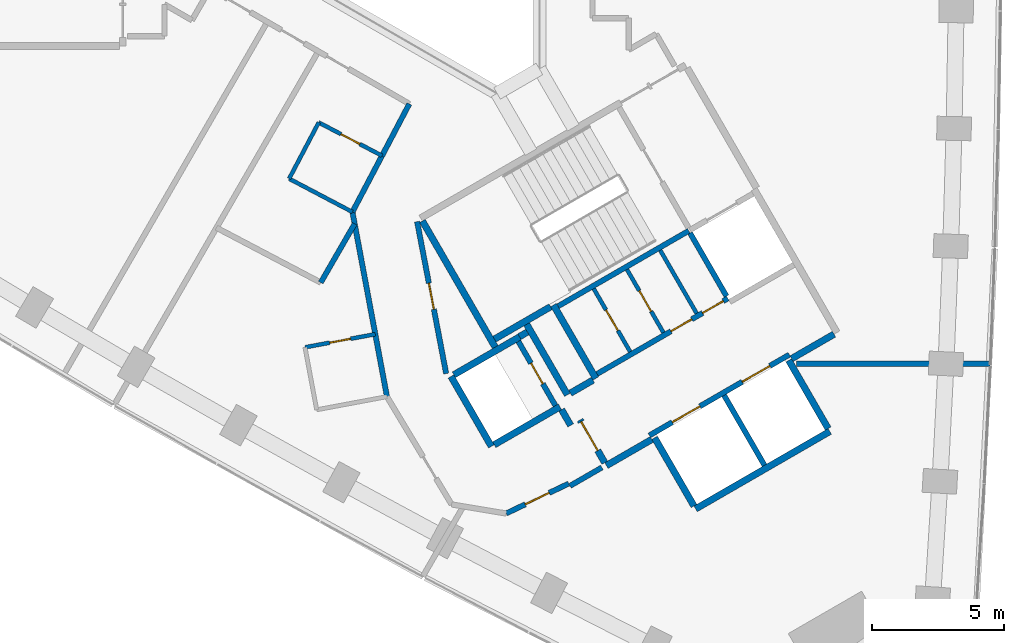
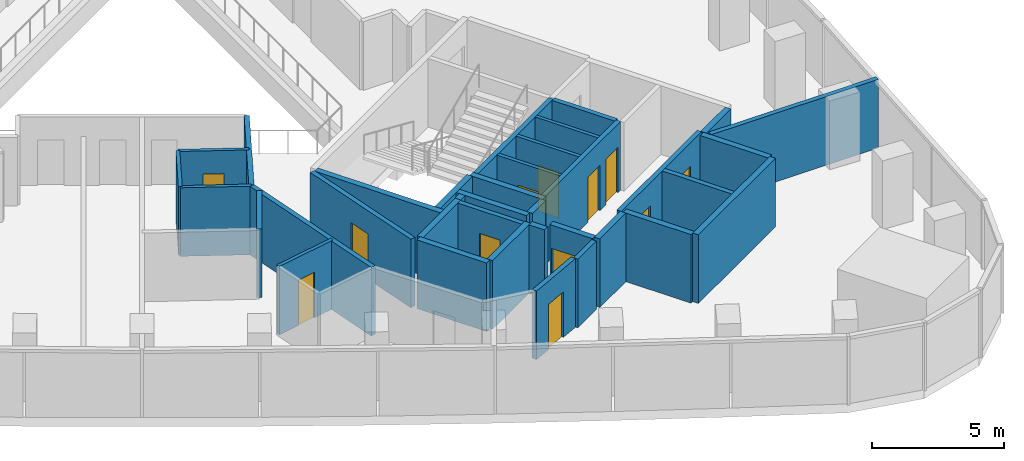
# One storey, part 8 of 12: 37 walls, 12 doors, 12 openings.
"""IFC4 building model written with IfcOpenShell, lengths in metres."""

from ifc_helpers import new_model, si_unit, direction, frame, frame_2d, origin, place, context, subcontext, project, spatial, rectangle, extrude, material, layer, layer_set, type_object, element, fill, save


model = new_model("IFC4")

# Units and contexts
model_context = context("Model", 3, precision=1e-05, world=origin(), true_north=direction((0.0, 1.0)))
body_context = subcontext(model_context, "Body", "Model", "MODEL_VIEW")
ifc_project = project(units=[si_unit("LENGTHUNIT", "METRE"), si_unit("AREAUNIT", "SQUARE_METRE"), si_unit("VOLUMEUNIT", "CUBIC_METRE"), si_unit("PLANEANGLEUNIT", "RADIAN"), si_unit("MASSUNIT", "GRAM", prefix="KILO")], contexts=[model_context])

# Site, building, storey
site_placement = place(None, origin())
site = spatial("IfcSite", under=ifc_project, at=site_placement, CompositionType="ELEMENT")
building_placement = place(site_placement, origin())
building = spatial("IfcBuilding", under=site, at=building_placement, Name="Tamra Quay Hotel Tower", CompositionType="ELEMENT")
storey_placement = place(building_placement, frame((0.0, 0.0, 83.0)))
storey = spatial("IfcBuildingStorey", under=building, at=storey_placement, Name="L19", CompositionType="ELEMENT", Elevation=83.0)

# Wall, openings, doors
ifc_material_1 = material(Name="Concrete M70", Category="concrete")
ifc_layer_1 = layer(ifc_material_1, 0.199951171875)
ifc_layer_set_1 = layer_set([ifc_layer_1], Name="Concrete M70 core wall 200")
wall_type_1 = type_object("IfcWallType", Name="Concrete M70 core wall 200", PredefinedType="SHEAR", material=ifc_layer_set_1)
wall_1_placement = place(storey_placement, frame((9.052490234375, -20.479736328125, 0.0), z_axis=(0.0, 0.0, 1.0), x_axis=(0.866030299012, 0.499991521122, 0.0)))
wall_1 = element("IfcWall", 1, at=wall_1_placement, inside=storey, type_object=wall_type_1, Name="CW2", PredefinedType="SHEAR", context=body_context, shape_type="SweptSolid", body=[
    extrude(rectangle(XDim=6.10009765625, YDim=0.199951171875, at=frame_2d((3.050048828125, 0.0))), origin(), (0.0, 0.0, 1.0), 3.175048828125),
])
opening_1_placement = place(wall_1_placement, frame((1.0, 0.0, 0.0)))
opening_1 = element("IfcOpeningElement", 2, at=opening_1_placement, cuts=wall_1, Name="Opening LD", PredefinedType="OPENING", context=body_context, shape_type="SweptSolid", body=[
    extrude(rectangle(XDim=1.199951171875, YDim=2.10009765625, at=frame_2d((0.60009765625, 1.050048828125))), frame((0.0, 0.10986328125, 0.0), z_axis=(0.0, -1.0, 0.0), x_axis=(1.0, 0.0, 0.0)), (0.0, 0.0, 1.0), 0.219970703125),
])
opening_2_placement = place(wall_1_placement, frame((4.05029296875, 0.0, 0.0)))
opening_2 = element("IfcOpeningElement", 3, at=opening_2_placement, cuts=wall_1, Name="Opening LD", PredefinedType="OPENING", context=body_context, shape_type="SweptSolid", body=[
    extrude(rectangle(XDim=1.199951171875, YDim=2.10009765625, at=frame_2d((0.60009765625, 1.050048828125))), frame((0.0, 0.10986328125, 0.0), z_axis=(0.0, -1.0, 0.0), x_axis=(1.0, 0.0, 0.0)), (0.0, 0.0, 1.0), 0.219970703125),
])
ifc_material_2 = material(Name="Landing door LD 1200 double door sliding")
door_type_1 = type_object("IfcDoorType", Name="Landing door LD 1200 double door sliding", OperationType="DOUBLE_DOOR_SLIDING", PredefinedType="DOOR", material=ifc_material_2)
door_1_placement = place(opening_1_placement, origin())
door_1 = element("IfcDoor", 4, at=door_1_placement, inside=storey, type_object=door_type_1, Name="LD", OperationType="DOUBLE_DOOR_SLIDING", OverallHeight=2.10009765625, OverallWidth=1.199951171875, PredefinedType="DOOR", context=body_context, shape_type="SweptSolid", body=[
    extrude(rectangle(XDim=1.199951171875, YDim=2.10009765625, at=frame_2d((0.60009765625, 1.050048828125))), frame((0.0, 0.02490234375, 0.0), z_axis=(0.0, -1.0, 0.0), x_axis=(1.0, 0.0, 0.0)), (0.0, 0.0, 1.0), 0.050048828125),
])
fill(opening_1, door_1)
door_2_placement = place(opening_2_placement, origin())
door_2 = element("IfcDoor", 5, at=door_2_placement, inside=storey, type_object=door_type_1, Name="LD", OperationType="DOUBLE_DOOR_SLIDING", OverallHeight=2.10009765625, OverallWidth=1.199951171875, PredefinedType="DOOR", context=body_context, shape_type="SweptSolid", body=[
    extrude(rectangle(XDim=1.199951171875, YDim=2.10009765625, at=frame_2d((0.60009765625, 1.050048828125))), frame((0.0, 0.02490234375, 0.0), z_axis=(0.0, -1.0, 0.0), x_axis=(1.0, 0.0, 0.0)), (0.0, 0.0, 1.0), 0.050048828125),
])
fill(opening_2, door_2)

# Wall
wall_2_placement = place(storey_placement, frame((10.537841796875, -12.751953125, 0.0), z_axis=(0.0, 0.0, 1.0), x_axis=(-0.866038630372, -0.499977090179, 0.0)))
element("IfcWall", 6, at=wall_2_placement, inside=storey, type_object=wall_type_1, Name="CW2", PredefinedType="SHEAR", context=body_context, shape_type="SweptSolid", body=[
    extrude(rectangle(XDim=5.698974609375, YDim=0.199951171875, at=frame_2d((2.849609375, 0.0))), origin(), (0.0, 0.0, 1.0), 3.175048828125),
])

# Wall, openings, doors
wall_3_placement = place(storey_placement, frame((7.0771484375, -18.156005859375, 0.0), z_axis=(0.0, 0.0, 1.0), x_axis=(0.866038630372, 0.499977090179, 0.0)))
wall_3 = element("IfcWall", 7, at=wall_3_placement, inside=storey, type_object=wall_type_1, Name="CW2", PredefinedType="SHEAR", context=body_context, shape_type="SweptSolid", body=[
    extrude(rectangle(XDim=5.698974609375, YDim=0.199951171875, at=frame_2d((2.849609375, 0.0))), origin(), (0.0, 0.0, 1.0), 3.175048828125),
])
opening_3_placement = place(wall_3_placement, frame((3.22412109375, 0.0, 0.0)))
opening_3 = element("IfcOpeningElement", 8, at=opening_3_placement, cuts=wall_3, Name="Opening D2", PredefinedType="OPENING", context=body_context, shape_type="SweptSolid", body=[
    extrude(rectangle(XDim=0.89990234375, YDim=2.10009765625, at=frame_2d((0.449951171875, 1.050048828125))), frame((0.0, 0.10986328125, 0.0), z_axis=(0.0, -1.0, 0.0), x_axis=(1.0, 0.0, 0.0)), (0.0, 0.0, 1.0), 0.219970703125),
])
opening_4_placement = place(wall_3_placement, frame((4.59912109375, 0.0, 0.0)))
opening_4 = element("IfcOpeningElement", 9, at=opening_4_placement, cuts=wall_3, Name="Opening D2", PredefinedType="OPENING", context=body_context, shape_type="SweptSolid", body=[
    extrude(rectangle(XDim=0.89990234375, YDim=2.10009765625, at=frame_2d((0.449951171875, 1.050048828125))), frame((0.0, 0.10986328125, 0.0), z_axis=(0.0, -1.0, 0.0), x_axis=(1.0, 0.0, 0.0)), (0.0, 0.0, 1.0), 0.219970703125),
])
ifc_material_3 = material(Name="Core door D2 900x2100 LH")
door_type_2 = type_object("IfcDoorType", Name="Core door D2 900x2100 LH", OperationType="NOTDEFINED", PredefinedType="DOOR", material=ifc_material_3)
door_3_placement = place(opening_3_placement, origin())
door_3 = element("IfcDoor", 10, at=door_3_placement, inside=storey, type_object=door_type_2, Name="D2", OperationType="SINGLE_SWING_LEFT", OverallHeight=2.10009765625, OverallWidth=0.89990234375, PredefinedType="DOOR", context=body_context, shape_type="SweptSolid", body=[
    extrude(rectangle(XDim=0.89990234375, YDim=2.10009765625, at=frame_2d((0.449951171875, 1.050048828125))), frame((0.0, 0.02490234375, 0.0), z_axis=(0.0, -1.0, 0.0), x_axis=(1.0, 0.0, 0.0)), (0.0, 0.0, 1.0), 0.050048828125),
])
fill(opening_3, door_3)
ifc_material_4 = material(Name="Core door D2 900x2100 RH")
door_type_3 = type_object("IfcDoorType", Name="Core door D2 900x2100 RH", OperationType="NOTDEFINED", PredefinedType="DOOR", material=ifc_material_4)
door_4_placement = place(opening_4_placement, origin())
door_4 = element("IfcDoor", 11, at=door_4_placement, inside=storey, type_object=door_type_3, Name="D2", OperationType="SINGLE_SWING_RIGHT", OverallHeight=2.10009765625, OverallWidth=0.89990234375, PredefinedType="DOOR", context=body_context, shape_type="SweptSolid", body=[
    extrude(rectangle(XDim=0.89990234375, YDim=2.10009765625, at=frame_2d((0.449951171875, 1.050048828125))), frame((0.0, 0.02490234375, 0.0), z_axis=(0.0, -1.0, 0.0), x_axis=(1.0, 0.0, 0.0)), (0.0, 0.0, 1.0), 0.050048828125),
])
fill(opening_4, door_4)

# Wall
wall_4_placement = place(storey_placement, frame((11.87451171875, -18.967041015625, 0.0), z_axis=(0.0, 0.0, 1.0), x_axis=(0.49998131003, -0.866036194175, 0.0)))
element("IfcWall", 12, at=wall_4_placement, inside=storey, type_object=wall_type_1, Name="CW2", PredefinedType="SHEAR", context=body_context, shape_type="SweptSolid", body=[
    extrude(rectangle(XDim=3.0478515625, YDim=0.199951171875, at=frame_2d((1.52392578125, 0.0))), origin(), (0.0, 0.0, 1.0), 3.175048828125),
])

# Wall, opening, door
wall_5_placement = place(storey_placement, frame((5.50341796875, -19.352294921875, 0.0), z_axis=(0.0, 0.0, 1.0), x_axis=(-0.499986818241, 0.866033014143, 0.0)))
wall_5 = element("IfcWall", 13, at=wall_5_placement, inside=storey, type_object=wall_type_1, Name="CW2", PredefinedType="SHEAR", context=body_context, shape_type="SweptSolid", body=[
    extrude(rectangle(XDim=2.7978515625, YDim=0.199951171875, at=frame_2d((1.39892578125, 0.0))), origin(), (0.0, 0.0, 1.0), 3.175048828125),
])
opening_5_placement = place(wall_5_placement, frame((0.948974609375, 0.0, 0.0)))
opening_5 = element("IfcOpeningElement", 14, at=opening_5_placement, cuts=wall_5, Name="Opening D1", PredefinedType="OPENING", context=body_context, shape_type="SweptSolid", body=[
    extrude(rectangle(XDim=0.89990234375, YDim=2.10009765625, at=frame_2d((0.449951171875, 1.050048828125))), frame((0.0, 0.10986328125, 0.0), z_axis=(0.0, -1.0, 0.0), x_axis=(1.0, 0.0, 0.0)), (0.0, 0.0, 1.0), 0.219970703125),
])
ifc_material_5 = material(Name="Core door D1 900x2100 LH")
door_type_4 = type_object("IfcDoorType", Name="Core door D1 900x2100 LH", OperationType="NOTDEFINED", PredefinedType="DOOR", material=ifc_material_5)
door_5_placement = place(opening_5_placement, origin())
door_5 = element("IfcDoor", 15, at=door_5_placement, inside=storey, type_object=door_type_4, Name="D1", OperationType="SINGLE_SWING_LEFT", OverallHeight=2.10009765625, OverallWidth=0.89990234375, PredefinedType="DOOR", context=body_context, shape_type="SweptSolid", body=[
    extrude(rectangle(XDim=0.89990234375, YDim=2.10009765625, at=frame_2d((0.449951171875, 1.050048828125))), frame((0.0, 0.02490234375, 0.0), z_axis=(0.0, -1.0, 0.0), x_axis=(1.0, 0.0, 0.0)), (0.0, 0.0, 1.0), 0.050048828125),
])
fill(opening_5, door_5)

# Walls
wall_6_placement = place(storey_placement, frame((11.962646484375, -15.219970703125, 0.0), z_axis=(0.0, 0.0, 1.0), x_axis=(-0.500034990121, 0.866005201286, 0.0)))
element("IfcWall", 16, at=wall_6_placement, inside=storey, type_object=wall_type_1, Name="CW2", PredefinedType="SHEAR", context=body_context, shape_type="SweptSolid", body=[
    extrude(rectangle(XDim=2.749755859375, YDim=0.199951171875, at=frame_2d((1.375, 0.0))), origin(), (0.0, 0.0, 1.0), 3.175048828125),
])
ifc_layer_2 = layer(ifc_material_1, 0.25)
ifc_layer_set_2 = layer_set([ifc_layer_2], Name="Concrete M70 core wall 250")
wall_type_2 = type_object("IfcWallType", Name="Concrete M70 core wall 250", PredefinedType="SHEAR", material=ifc_layer_set_2)
wall_7_placement = place(storey_placement, frame((15.86474609375, -20.328369140625, 0.0), z_axis=(0.0, 0.0, 1.0), x_axis=(-0.86602852612, -0.499994591916, 0.0)))
element("IfcWall", 17, at=wall_7_placement, inside=storey, type_object=wall_type_2, Name="CW1", PredefinedType="SHEAR", context=body_context, shape_type="SweptSolid", body=[
    extrude(rectangle(XDim=5.85009765625, YDim=0.25, at=frame_2d((2.925048828125, 0.0))), origin(), (0.0, 0.0, 1.0), 3.175048828125),
])
wall_8_placement = place(storey_placement, frame((3.23486328125, -17.15283203125, 0.0), z_axis=(0.0, 0.0, 1.0), x_axis=(-0.500008851346, 0.866020293397, 0.0)))
element("IfcWall", 18, at=wall_8_placement, inside=storey, type_object=wall_type_2, Name="CW1", PredefinedType="SHEAR", context=body_context, shape_type="SweptSolid", body=[
    extrude(rectangle(XDim=5.509765625, YDim=0.25, at=frame_2d((2.7548828125, 0.0))), origin(), (0.0, 0.0, 1.0), 3.175048828125),
])
wall_9_placement = place(storey_placement, frame((7.030517578125, -18.327392578125, 0.0), z_axis=(0.0, 0.0, 1.0), x_axis=(-0.499971222258, 0.866042017984, 0.0)))
element("IfcWall", 19, at=wall_9_placement, inside=storey, type_object=wall_type_2, Name="CW1", PredefinedType="SHEAR", context=body_context, shape_type="SweptSolid", body=[
    extrude(rectangle(XDim=3.199951171875, YDim=0.25, at=frame_2d((1.60009765625, 0.0))), origin(), (0.0, 0.0, 1.0), 3.175048828125),
])
for number, where, z_axis, x_axis, name in (
    (20, (14.314697265625, -17.643798828125, 0.0), (0.0, 0.0, 1.0), (0.500023226632, -0.866011993467, 0.0), "CW1"),
    (21, (10.73583984375, -23.144775390625, 0.0), (0.0, 0.0, 1.0), (-0.500023226632, 0.866011993467, 0.0), "CW1"),
):
    element("IfcWall", number, at=place(storey_placement, frame(where, z_axis=z_axis, x_axis=x_axis)), inside=storey, type_object=wall_type_2, Name=name, PredefinedType="SHEAR", context=body_context, shape_type="SweptSolid", body=[
        extrude(rectangle(XDim=2.974365234375, YDim=0.25, at=frame_2d((1.4873046875, 0.0))), origin(), (0.0, 0.0, 1.0), 3.175048828125),
    ])
wall_10_placement = place(storey_placement, frame((3.085205078125, -20.893798828125, 0.0), z_axis=(0.0, 0.0, 1.0), x_axis=(-0.499978833458, 0.866037623948, 0.0)))
element("IfcWall", 22, at=wall_10_placement, inside=storey, type_object=wall_type_2, Name="CW1", PredefinedType="SHEAR", context=body_context, shape_type="SweptSolid", body=[
    extrude(rectangle(XDim=3.050048828125, YDim=0.25, at=frame_2d((1.52490234375, 0.0))), origin(), (0.0, 0.0, 1.0), 3.175048828125),
])
wall_11_placement = place(storey_placement, frame((1.6689453125, -18.189697265625, 0.0), z_axis=(0.0, 0.0, 1.0), x_axis=(0.866042235819, 0.499970844928, 0.0)))
element("IfcWall", 23, at=wall_11_placement, inside=storey, type_object=wall_type_2, Name="CW1", PredefinedType="SHEAR", context=body_context, shape_type="SweptSolid", body=[
    extrude(rectangle(XDim=2.864501953125, YDim=0.25, at=frame_2d((1.43212890625, 0.0))), origin(), (0.0, 0.0, 1.0), 3.175048828125),
])
wall_12_placement = place(storey_placement, frame((5.6748046875, -19.39892578125, 0.0), z_axis=(0.0, 0.0, 1.0), x_axis=(-0.866026637627, -0.499997862916, 0.0)))
element("IfcWall", 24, at=wall_12_placement, inside=storey, type_object=wall_type_2, Name="CW1", PredefinedType="SHEAR", context=body_context, shape_type="SweptSolid", body=[
    extrude(rectangle(XDim=2.86474609375, YDim=0.25, at=frame_2d((1.432373046875, 0.0))), origin(), (0.0, 0.0, 1.0), 3.175048828125),
])
wall_13_placement = place(storey_placement, frame((4.414306640625, -16.275634765625, 0.0), z_axis=(0.0, 0.0, 1.0), x_axis=(0.500003324108, -0.866023484601, 0.0)))
element("IfcWall", 25, at=wall_13_placement, inside=storey, type_object=wall_type_2, Name="CW1", PredefinedType="SHEAR", context=body_context, shape_type="SweptSolid", body=[
    extrude(rectangle(XDim=3.0849609375, YDim=0.25, at=frame_2d((1.54248046875, 0.0))), origin(), (0.0, 0.0, 1.0), 3.175048828125),
])
wall_14_placement = place(storey_placement, frame((5.322021484375, -15.618896484375, 0.0), z_axis=(0.0, 0.0, 1.0), x_axis=(-0.866026229868, -0.499998569178, 0.0)))
element("IfcWall", 26, at=wall_14_placement, inside=storey, type_object=wall_type_2, Name="CW1", PredefinedType="SHEAR", context=body_context, shape_type="SweptSolid", body=[
    extrude(rectangle(XDim=2.44921875, YDim=0.25, at=frame_2d((1.224609375, 0.0))), origin(), (0.0, 0.0, 1.0), 3.175048828125),
])
wall_15_placement = place(storey_placement, frame((9.139892578125, -20.63134765625, 0.0), z_axis=(0.0, 0.0, 1.0), x_axis=(-0.866043531843, -0.499968599967, 0.0)))
element("IfcWall", 27, at=wall_15_placement, inside=storey, type_object=wall_type_2, Name="CW1", PredefinedType="SHEAR", context=body_context, shape_type="SweptSolid", body=[
    extrude(rectangle(XDim=1.974853515625, YDim=0.25, at=frame_2d((0.9873046875, 0.0))), origin(), (0.0, 0.0, 1.0), 3.175048828125),
])
wall_16_placement = place(storey_placement, frame((16.024658203125, -16.656494140625, 0.0), z_axis=(0.0, 0.0, 1.0), x_axis=(-0.866016279763, -0.500015802937, 0.0)))
element("IfcWall", 28, at=wall_16_placement, inside=storey, type_object=wall_type_2, Name="CW1", PredefinedType="SHEAR", context=body_context, shape_type="SweptSolid", body=[
    extrude(rectangle(XDim=1.84912109375, YDim=0.25, at=frame_2d((0.924560546875, 0.0))), origin(), (0.0, 0.0, 1.0), 3.175048828125),
])

# Wall, opening, door
wall_17_placement = place(storey_placement, frame((7.3671875, -21.51025390625, 0.0), z_axis=(0.0, 0.0, 1.0), x_axis=(-0.499983108224, 0.866035156036, 0.0)))
wall_17 = element("IfcWall", 29, at=wall_17_placement, inside=storey, type_object=wall_type_2, Name="CW1", PredefinedType="SHEAR", context=body_context, shape_type="SweptSolid", body=[
    extrude(rectangle(XDim=1.86474609375, YDim=0.25, at=frame_2d((0.932373046875, 0.0))), origin(), (0.0, 0.0, 1.0), 3.175048828125),
])
opening_6_placement = place(wall_17_placement, frame((0.53466796875, 0.0, 0.0)))
opening_6 = element("IfcOpeningElement", 30, at=opening_6_placement, cuts=wall_17, Name="Opening FD3", PredefinedType="OPENING", context=body_context, shape_type="SweptSolid", body=[
    extrude(rectangle(XDim=1.25, YDim=2.10009765625, at=frame_2d((0.625, 1.050048828125))), frame((0.0, 0.135009765625, 0.0), z_axis=(0.0, -1.0, 0.0), x_axis=(1.0, 0.0, 0.0)), (0.0, 0.0, 1.0), 0.27001953125),
])
ifc_material_6 = material(Name="Core door FD3 1250x2100 LH")
door_type_5 = type_object("IfcDoorType", Name="Core door FD3 1250x2100 LH", OperationType="NOTDEFINED", PredefinedType="DOOR", material=ifc_material_6)
door_6_placement = place(opening_6_placement, origin())
door_6 = element("IfcDoor", 31, at=door_6_placement, inside=storey, type_object=door_type_5, Name="FD3", OperationType="SINGLE_SWING_LEFT", OverallHeight=2.10009765625, OverallWidth=1.25, PredefinedType="DOOR", context=body_context, shape_type="SweptSolid", body=[
    extrude(rectangle(XDim=1.25, YDim=2.10009765625, at=frame_2d((0.625, 1.050048828125))), frame((0.0, 0.02490234375, 0.0), z_axis=(0.0, -1.0, 0.0), x_axis=(1.0, 0.0, 0.0)), (0.0, 0.0, 1.0), 0.050048828125),
])
fill(opening_6, door_6)

# Walls
wall_18_placement = place(storey_placement, frame((6.0654296875, -18.884765625, 0.0), z_axis=(0.0, 0.0, 1.0), x_axis=(0.866017078145, 0.500014420154, 0.0)))
element("IfcWall", 32, at=wall_18_placement, inside=storey, type_object=wall_type_2, Name="CW1", PredefinedType="SHEAR", context=body_context, shape_type="SweptSolid", body=[
    extrude(rectangle(XDim=0.9892578125, YDim=0.25, at=frame_2d((0.49462890625, 0.0))), origin(), (0.0, 0.0, 1.0), 3.175048828125),
])
wall_19_placement = place(storey_placement, frame((6.07958984375, -20.100341796875, 0.0), z_axis=(0.0, 0.0, 1.0), x_axis=(-0.500051773299, 0.865995510393, 0.0)))
element("IfcWall", 33, at=wall_19_placement, inside=storey, type_object=wall_type_2, Name="CW1", PredefinedType="SHEAR", context=body_context, shape_type="SweptSolid", body=[
    extrude(rectangle(XDim=0.6845703125, YDim=0.25, at=frame_2d((0.34228515625, 0.0))), origin(), (0.0, 0.0, 1.0), 3.175048828125),
])
wall_20_placement = place(storey_placement, frame((4.144775390625, -16.748779296875, 0.0), z_axis=(0.0, 0.0, 1.0), x_axis=(0.866185586049, 0.49972245349, 0.0)))
element("IfcWall", 34, at=wall_20_placement, inside=storey, type_object=wall_type_2, Name="CW1", PredefinedType="SHEAR", context=body_context, shape_type="SweptSolid", body=[
    extrude(rectangle(XDim=0.344482421875, YDim=0.25, at=frame_2d((0.17236328125, 0.0))), origin(), (0.0, 0.0, 1.0), 3.175048828125),
])

# Wall, opening, door
ifc_material_7 = material(Name="Blockwork", Category="masonry")
ifc_layer_3 = layer(ifc_material_7, 0.14990234375)
ifc_layer_set_3 = layer_set([ifc_layer_3], Name="Core partition block 150")
wall_type_3 = type_object("IfcWallType", Name="Core partition block 150", PredefinedType="PARTITIONING", material=ifc_layer_set_3)
wall_21_placement = place(storey_placement, frame((8.20654296875, -14.214111328125, 0.0), z_axis=(0.0, 0.0, 1.0), x_axis=(0.50002746344, -0.86600954718, 0.0)))
wall_21 = element("IfcWall", 35, at=wall_21_placement, inside=storey, type_object=wall_type_3, Name="CP1", PredefinedType="PARTITIONING", context=body_context, shape_type="SweptSolid", body=[
    extrude(rectangle(XDim=2.748291015625, YDim=0.14990234375, at=frame_2d((1.3740234375, 0.0))), origin(), (0.0, 0.0, 1.0), 3.175048828125),
])
opening_7_placement = place(wall_21_placement, frame((0.92431640625, 0.0, 0.0)))
opening_7 = element("IfcOpeningElement", 36, at=opening_7_placement, cuts=wall_21, Name="Opening D2", PredefinedType="OPENING", context=body_context, shape_type="SweptSolid", body=[
    extrude(rectangle(XDim=0.89990234375, YDim=2.10009765625, at=frame_2d((0.449951171875, 1.050048828125))), frame((0.0, 0.0849609375, 0.0), z_axis=(0.0, -1.0, 0.0), x_axis=(1.0, 0.0, 0.0)), (0.0, 0.0, 1.0), 0.169921875),
])
door_7_placement = place(opening_7_placement, origin())
door_7 = element("IfcDoor", 37, at=door_7_placement, inside=storey, type_object=door_type_3, Name="D2", OperationType="SINGLE_SWING_RIGHT", OverallHeight=2.10009765625, OverallWidth=0.89990234375, PredefinedType="DOOR", context=body_context, shape_type="SweptSolid", body=[
    extrude(rectangle(XDim=0.89990234375, YDim=2.10009765625, at=frame_2d((0.449951171875, 1.050048828125))), frame((0.0, 0.02490234375, 0.0), z_axis=(0.0, -1.0, 0.0), x_axis=(1.0, 0.0, 0.0)), (0.0, 0.0, 1.0), 0.050048828125),
])
fill(opening_7, door_7)

# Wall
wall_22_placement = place(storey_placement, frame((9.46240234375, -13.489013671875, 0.0), z_axis=(0.0, 0.0, 1.0), x_axis=(0.499988999718, -0.866031754707, 0.0)))
element("IfcWall", 38, at=wall_22_placement, inside=storey, type_object=wall_type_3, Name="CP1", PredefinedType="PARTITIONING", context=body_context, shape_type="SweptSolid", body=[
    extrude(rectangle(XDim=2.74853515625, YDim=0.14990234375, at=frame_2d((1.374267578125, 0.0))), origin(), (0.0, 0.0, 1.0), 3.175048828125),
])

# Wall, opening, door
wall_23_placement = place(storey_placement, frame((6.950927734375, -14.93896484375, 0.0), z_axis=(0.0, 0.0, 1.0), x_axis=(0.499988999718, -0.866031754707, 0.0)))
wall_23 = element("IfcWall", 39, at=wall_23_placement, inside=storey, type_object=wall_type_3, Name="CP1", PredefinedType="PARTITIONING", context=body_context, shape_type="SweptSolid", body=[
    extrude(rectangle(XDim=2.74853515625, YDim=0.14990234375, at=frame_2d((1.374267578125, 0.0))), origin(), (0.0, 0.0, 1.0), 3.175048828125),
])
opening_8_placement = place(wall_23_placement, frame((0.92431640625, 0.0, 0.0)))
opening_8 = element("IfcOpeningElement", 40, at=opening_8_placement, cuts=wall_23, Name="Opening D2", PredefinedType="OPENING", context=body_context, shape_type="SweptSolid", body=[
    extrude(rectangle(XDim=0.89990234375, YDim=2.10009765625, at=frame_2d((0.449951171875, 1.050048828125))), frame((0.0, 0.0849609375, 0.0), z_axis=(0.0, -1.0, 0.0), x_axis=(1.0, 0.0, 0.0)), (0.0, 0.0, 1.0), 0.169921875),
])
door_8_placement = place(opening_8_placement, origin())
door_8 = element("IfcDoor", 41, at=door_8_placement, inside=storey, type_object=door_type_2, Name="D2", OperationType="SINGLE_SWING_LEFT", OverallHeight=2.10009765625, OverallWidth=0.89990234375, PredefinedType="DOOR", context=body_context, shape_type="SweptSolid", body=[
    extrude(rectangle(XDim=0.89990234375, YDim=2.10009765625, at=frame_2d((0.449951171875, 1.050048828125))), frame((0.0, 0.02490234375, 0.0), z_axis=(0.0, -1.0, 0.0), x_axis=(1.0, 0.0, 0.0)), (0.0, 0.0, 1.0), 0.050048828125),
])
fill(opening_8, door_8)

# Walls
ifc_material_8 = material(Name="Partition corridor wall")
ifc_layer_4 = layer(ifc_material_8, 0.199951171875)
ifc_layer_set_4 = layer_set([ifc_layer_4], Name="Partition corridor wall")
wall_type_4 = type_object("IfcWallType", Name="Partition corridor wall", PredefinedType="PARTITIONING", material=ifc_layer_set_4)
wall_24_placement = place(storey_placement, frame((-2.162109375, -12.0419921875, 0.0), z_axis=(0.0, 0.0, 1.0), x_axis=(0.183916574427, -0.982941856699, 0.0)))
element("IfcWall", 42, at=wall_24_placement, inside=storey, type_object=wall_type_4, Name="W-C", PredefinedType="PARTITIONING", context=body_context, shape_type="SweptSolid", body=[
    extrude(rectangle(XDim=7.093994140625, YDim=0.199951171875, at=frame_2d((3.546875, 0.0))), origin(), (0.0, 0.0, 1.0), 3.175048828125),
])
wall_25_placement = place(storey_placement, frame((-2.162109375, -12.041015625, 0.0), z_axis=(0.0, 0.0, 1.0), x_axis=(0.465704706438, 0.884940182386, 0.0)))
element("IfcWall", 43, at=wall_25_placement, inside=storey, type_object=wall_type_4, Name="W-C", PredefinedType="PARTITIONING", context=body_context, shape_type="SweptSolid", body=[
    extrude(rectangle(XDim=2.41162109375, YDim=0.199951171875, at=frame_2d((1.205810546875, 0.0))), origin(), (0.0, 0.0, 1.0), 3.175048828125),
])
wall_26_placement = place(storey_placement, frame((-1.050048828125, -9.928955078125, 0.0), z_axis=(0.0, 0.0, 1.0), x_axis=(0.465502300996, 0.885046669825, 0.0)))
element("IfcWall", 44, at=wall_26_placement, inside=storey, type_object=wall_type_4, Name="W-C", PredefinedType="PARTITIONING", context=body_context, shape_type="SweptSolid", body=[
    extrude(rectangle(XDim=2.225830078125, YDim=0.199951171875, at=frame_2d((1.11279296875, 0.0))), origin(), (0.0, 0.0, 1.0), 3.175048828125),
])

# Wall, opening, door
wall_27_placement = place(storey_placement, frame((0.28076171875, -12.40625, 0.0), z_axis=(0.0, 0.0, 1.0), x_axis=(0.187814940093, -0.982204433037, 0.0)))
wall_27 = element("IfcWall", 45, at=wall_27_placement, inside=storey, type_object=wall_type_4, Name="W-C", PredefinedType="PARTITIONING", context=body_context, shape_type="SweptSolid", body=[
    extrude(rectangle(XDim=5.841796875, YDim=0.199951171875, at=frame_2d((2.9208984375, 0.0))), origin(), (0.0, 0.0, 1.0), 3.175048828125),
])
opening_9_placement = place(wall_27_placement, frame((2.36328125, 0.0, 0.0)))
opening_9 = element("IfcOpeningElement", 46, at=opening_9_placement, cuts=wall_27, Name="Opening L19-D016", PredefinedType="OPENING", context=body_context, shape_type="SweptSolid", body=[
    extrude(rectangle(XDim=1.0, YDim=2.10009765625, at=frame_2d((0.5, 1.050048828125))), frame((0.0, 0.10986328125, 0.0), z_axis=(0.0, -1.0, 0.0), x_axis=(1.0, 0.0, 0.0)), (0.0, 0.0, 1.0), 0.219970703125),
])
ifc_material_9 = material(Name="Door guest room 1000x2100")
door_type_6 = type_object("IfcDoorType", Name="Door guest room 1000x2100", OperationType="NOTDEFINED", PredefinedType="DOOR", material=ifc_material_9)
door_9_placement = place(opening_9_placement, origin())
door_9 = element("IfcDoor", 47, at=door_9_placement, inside=storey, type_object=door_type_6, Name="L19-D016", OperationType="SINGLE_SWING_LEFT", OverallHeight=2.10009765625, OverallWidth=1.0, PredefinedType="DOOR", context=body_context, shape_type="SweptSolid", body=[
    extrude(rectangle(XDim=1.0, YDim=2.10009765625, at=frame_2d((0.5, 1.050048828125))), frame((0.0, 0.02490234375, 0.0), z_axis=(0.0, -1.0, 0.0), x_axis=(1.0, 0.0, 0.0)), (0.0, 0.0, 1.0), 0.050048828125),
])
fill(opening_9, door_9)

wall_28_placement = place(storey_placement, frame((3.64306640625, -23.426025390625, 0.0), z_axis=(0.0, 0.0, 1.0), x_axis=(0.902344142508, 0.431016297233, 0.0)))
wall_28 = element("IfcWall", 48, at=wall_28_placement, inside=storey, type_object=wall_type_4, Name="W-C", PredefinedType="PARTITIONING", context=body_context, shape_type="SweptSolid", body=[
    extrude(rectangle(XDim=2.616455078125, YDim=0.199951171875, at=frame_2d((1.30810546875, 0.0))), origin(), (0.0, 0.0, 1.0), 3.175048828125),
])
opening_10_placement = place(wall_28_placement, frame((0.800048828125, 0.0, 0.0)))
opening_10 = element("IfcOpeningElement", 49, at=opening_10_placement, cuts=wall_28, Name="Opening L19-D019", PredefinedType="OPENING", context=body_context, shape_type="SweptSolid", body=[
    extrude(rectangle(XDim=1.0, YDim=2.10009765625, at=frame_2d((0.5, 1.050048828125))), frame((0.0, 0.10986328125, 0.0), z_axis=(0.0, -1.0, 0.0), x_axis=(1.0, 0.0, 0.0)), (0.0, 0.0, 1.0), 0.219970703125),
])
door_10_placement = place(opening_10_placement, frame((1.0, 0.0, 0.0), z_axis=(0.0, 0.0, 1.0), x_axis=(-1.0, 0.0, 0.0)))
door_10 = element("IfcDoor", 50, at=door_10_placement, inside=storey, type_object=door_type_6, Name="L19-D019", OperationType="SINGLE_SWING_LEFT", OverallHeight=2.10009765625, OverallWidth=1.0, PredefinedType="DOOR", context=body_context, shape_type="SweptSolid", body=[
    extrude(rectangle(XDim=1.0, YDim=2.10009765625, at=frame_2d((0.5, 1.050048828125))), frame((0.0, 0.02490234375, 0.0), z_axis=(0.0, -1.0, 0.0), x_axis=(1.0, 0.0, 0.0)), (0.0, 0.0, 1.0), 0.050048828125),
])
fill(opening_10, door_10)

# Walls
wall_29_placement = place(storey_placement, frame((6.053955078125, -22.385009765625, 0.0), z_axis=(0.0, 0.0, 1.0), x_axis=(0.86593101922, 0.500163443238, 0.0)))
element("IfcWall", 51, at=wall_29_placement, inside=storey, type_object=wall_type_4, Name="W-C", PredefinedType="PARTITIONING", context=body_context, shape_type="SweptSolid", body=[
    extrude(rectangle(XDim=1.3896484375, YDim=0.199951171875, at=frame_2d((0.69482421875, 0.0))), origin(), (0.0, 0.0, 1.0), 3.175048828125),
])
ifc_material_10 = material(Name="Partition en-suite wall")
ifc_layer_5 = layer(ifc_material_10, 0.14990234375)
ifc_layer_set_5 = layer_set([ifc_layer_5], Name="Partition en-suite wall")
wall_type_5 = type_object("IfcWallType", Name="Partition en-suite wall", PredefinedType="PARTITIONING", material=ifc_layer_set_5)
wall_30_placement = place(storey_placement, frame((-4.552001953125, -10.784912109375, 0.0), z_axis=(0.0, 0.0, 1.0), x_axis=(0.465750624965, 0.884916015984, 0.0)))
element("IfcWall", 52, at=wall_30_placement, inside=storey, type_object=wall_type_5, Name="W-E", PredefinedType="PARTITIONING", context=body_context, shape_type="SweptSolid", body=[
    extrude(rectangle(XDim=2.400146484375, YDim=0.14990234375, at=frame_2d((1.2001953125, 0.0))), origin(), (0.0, 0.0, 1.0), 3.175048828125),
])
wall_31_placement = place(storey_placement, frame((-4.552001953125, -10.784912109375, 0.0), z_axis=(0.0, 0.0, 1.0), x_axis=(0.885033905544, -0.465526568562, 0.0)))
element("IfcWall", 53, at=wall_31_placement, inside=storey, type_object=wall_type_5, Name="W-E", PredefinedType="PARTITIONING", context=body_context, shape_type="SweptSolid", body=[
    extrude(rectangle(XDim=2.700439453125, YDim=0.14990234375, at=frame_2d((1.35009765625, 0.0))), origin(), (0.0, 0.0, 1.0), 3.175048828125),
])

# Wall, opening, door
wall_32_placement = place(storey_placement, frame((-3.950927734375, -17.152099609375, 0.0), z_axis=(0.0, 0.0, 1.0), x_axis=(0.982935667801, 0.183949647907, 0.0)))
wall_32 = element("IfcWall", 54, at=wall_32_placement, inside=storey, type_object=wall_type_5, Name="W-E", PredefinedType="PARTITIONING", context=body_context, shape_type="SweptSolid", body=[
    extrude(rectangle(XDim=2.697021484375, YDim=0.14990234375, at=frame_2d((1.3486328125, 0.0))), origin(), (0.0, 0.0, 1.0), 3.175048828125),
])
opening_11_placement = place(wall_32_placement, frame((0.947998046875, 0.0, 0.0)))
opening_11 = element("IfcOpeningElement", 55, at=opening_11_placement, cuts=wall_32, Name="Opening L19-D018", PredefinedType="OPENING", context=body_context, shape_type="SweptSolid", body=[
    extrude(rectangle(XDim=0.800048828125, YDim=2.10009765625, at=frame_2d((0.39990234375, 1.050048828125))), frame((0.0, 0.0849609375, 0.0), z_axis=(0.0, -1.0, 0.0), x_axis=(1.0, 0.0, 0.0)), (0.0, 0.0, 1.0), 0.169921875),
])
ifc_material_11 = material(Name="Door en-suite 800x2100")
door_type_7 = type_object("IfcDoorType", Name="Door en-suite 800x2100", OperationType="NOTDEFINED", PredefinedType="DOOR", material=ifc_material_11)
door_11_placement = place(opening_11_placement, frame((0.800048828125, 0.0, 0.0), z_axis=(0.0, 0.0, 1.0), x_axis=(-1.0, 0.0, 0.0)))
door_11 = element("IfcDoor", 56, at=door_11_placement, inside=storey, type_object=door_type_7, Name="L19-D018", OperationType="SINGLE_SWING_LEFT", OverallHeight=2.10009765625, OverallWidth=0.800048828125, PredefinedType="DOOR", context=body_context, shape_type="SweptSolid", body=[
    extrude(rectangle(XDim=0.800048828125, YDim=2.10009765625, at=frame_2d((0.39990234375, 1.050048828125))), frame((0.0, 0.02490234375, 0.0), z_axis=(0.0, -1.0, 0.0), x_axis=(1.0, 0.0, 0.0)), (0.0, 0.0, 1.0), 0.050048828125),
])
fill(opening_11, door_11)

wall_33_placement = place(storey_placement, frame((-3.43408203125, -8.660888671875, 0.0), z_axis=(0.0, 0.0, 1.0), x_axis=(0.884975104075, -0.465638341599, 0.0)))
wall_33 = element("IfcWall", 57, at=wall_33_placement, inside=storey, type_object=wall_type_5, Name="W-E", PredefinedType="PARTITIONING", context=body_context, shape_type="SweptSolid", body=[
    extrude(rectangle(XDim=2.69970703125, YDim=0.14990234375, at=frame_2d((1.349853515625, 0.0))), origin(), (0.0, 0.0, 1.0), 3.175048828125),
])
opening_12_placement = place(wall_33_placement, frame((0.949951171875, 0.0, 0.0)))
opening_12 = element("IfcOpeningElement", 58, at=opening_12_placement, cuts=wall_33, Name="Opening L19-D015", PredefinedType="OPENING", context=body_context, shape_type="SweptSolid", body=[
    extrude(rectangle(XDim=0.800048828125, YDim=2.10009765625, at=frame_2d((0.39990234375, 1.050048828125))), frame((0.0, 0.0849609375, 0.0), z_axis=(0.0, -1.0, 0.0), x_axis=(1.0, 0.0, 0.0)), (0.0, 0.0, 1.0), 0.169921875),
])
door_12_placement = place(opening_12_placement, frame((0.800048828125, 0.0, 0.0), z_axis=(0.0, 0.0, 1.0), x_axis=(-1.0, 0.0, 0.0)))
door_12 = element("IfcDoor", 59, at=door_12_placement, inside=storey, type_object=door_type_7, Name="L19-D015", OperationType="SINGLE_SWING_LEFT", OverallHeight=2.10009765625, OverallWidth=0.800048828125, PredefinedType="DOOR", context=body_context, shape_type="SweptSolid", body=[
    extrude(rectangle(XDim=0.800048828125, YDim=2.10009765625, at=frame_2d((0.39990234375, 1.050048828125))), frame((0.0, 0.02490234375, 0.0), z_axis=(0.0, -1.0, 0.0), x_axis=(1.0, 0.0, 0.0)), (0.0, 0.0, 1.0), 0.050048828125),
])
fill(opening_12, door_12)

# Walls
ifc_material_12 = material(Name="Partition party wall")
ifc_layer_6 = layer(ifc_material_12, 0.199951171875)
ifc_layer_set_6 = layer_set([ifc_layer_6], Name="Partition party wall")
wall_type_6 = type_object("IfcWallType", Name="Partition party wall", PredefinedType="PARTITIONING", material=ifc_layer_set_6)
wall_34_placement = place(storey_placement, frame((-3.35888671875, -14.70703125, 0.0), z_axis=(0.0, 0.0, 1.0), x_axis=(0.500126728047, 0.865952224948, 0.0)))
element("IfcWall", 60, at=wall_34_placement, inside=storey, type_object=wall_type_6, Name="W-P", PredefinedType="PARTITIONING", context=body_context, shape_type="SweptSolid", body=[
    extrude(rectangle(XDim=2.561279296875, YDim=0.199951171875, at=frame_2d((1.28076171875, 0.0))), origin(), (0.0, 0.0, 1.0), 3.175048828125),
])
wall_35_placement = place(storey_placement, frame((14.60302734375, -17.77294921875, 0.0), z_axis=(0.0, 0.0, 1.0), x_axis=(1.0, 0.0, 0.0)))
element("IfcWall", 61, at=wall_35_placement, inside=storey, type_object=wall_type_6, Name="W-P", PredefinedType="PARTITIONING", context=body_context, shape_type="SweptSolid", body=[
    extrude(rectangle(XDim=7.3203125, YDim=0.199951171875, at=frame_2d((3.66015625, 0.0))), origin(), (0.0, 0.0, 1.0), 3.175048828125),
])

save(model, "model.ifc")
